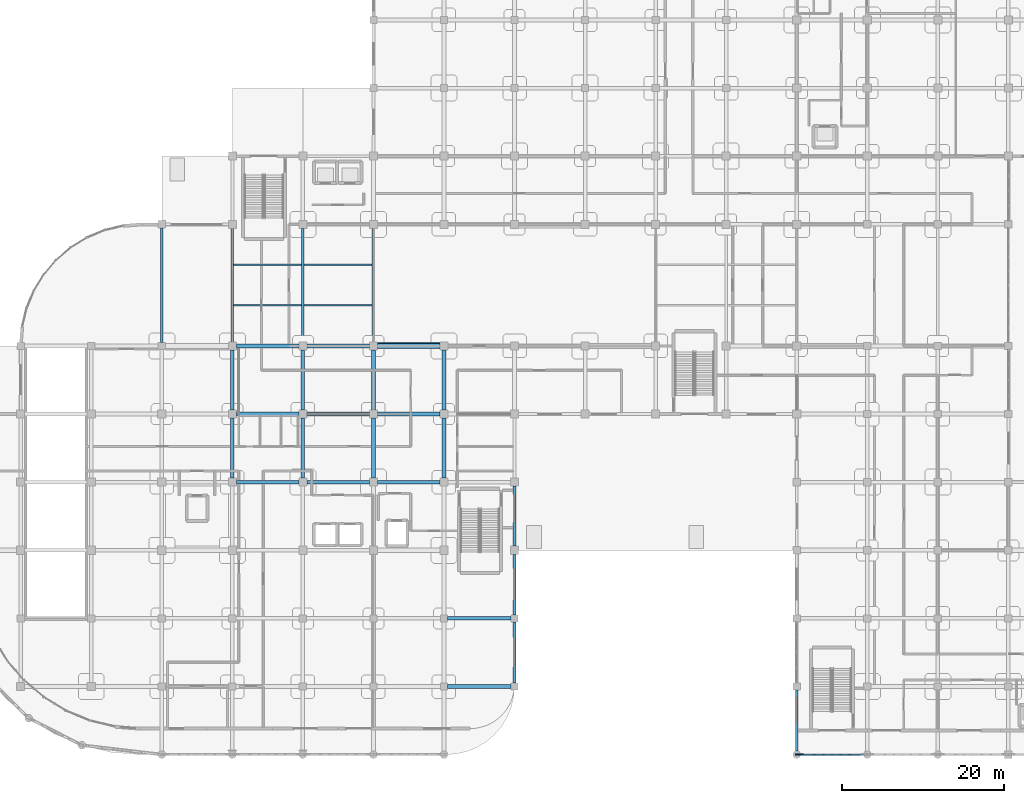
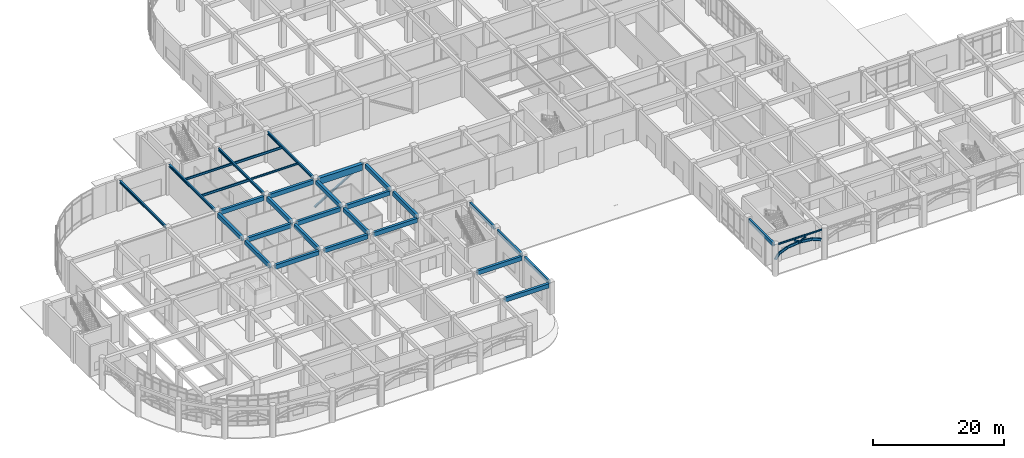
# One storey, part 13 of 82: 37 beams, 3 members.
"""IFC4 building model written with IfcOpenShell, lengths in metres."""

import ifcopenshell
import ifcopenshell.guid

model = None  # the IFC model being written
_history = None  # IfcOwnerHistory: only IFC2X3 demands one
_inside = {}  # id of a spatial element -> (the spatial element, [elements in it])
_under = {}  # id of a project, library or spatial element -> (it, [spatial elements below it])
_declared = {}  # id of a project -> (the project, [libraries it declares])
_typed = {}  # id of a type object -> (the type object, [elements of that type])
_made_of = {}  # id of a material, layer set ... -> (it, [elements and type objects made of it])


def new_model(schema):
    """Start an empty IFC model of exactly this schema.

    Asked for "IFC4X3", IfcOpenShell would pick the latest addendum, in which some entities
    have other attributes; the version numbers below select the first issue.
    IFC2X3 requires an IfcOwnerHistory on every rooted entity: one is made here for all.
    """
    global model, _history
    if schema == "IFC4X3":
        model = ifcopenshell.file(schema_version=(4, 3, 0, 0))
    else:
        model = ifcopenshell.file(schema=schema)
    _inside.clear()
    _under.clear()
    _declared.clear()
    _typed.clear()
    _made_of.clear()
    _history = None
    if model.schema == "IFC2X3":
        org = make("IfcOrganization", Name="unknown")
        user = make(
            "IfcPersonAndOrganization",
            ThePerson=make("IfcPerson", FamilyName="unknown"),
            TheOrganization=org,
        )
        app = make(
            "IfcApplication",
            ApplicationDeveloper=org,
            Version="unknown",
            ApplicationFullName="unknown",
            ApplicationIdentifier="unknown",
        )
        _history = make(
            "IfcOwnerHistory",
            OwningUser=user,
            OwningApplication=app,
            ChangeAction="ADDED",
            CreationDate=0,
        )
    return model


def make(cls, **values):
    """One entity of the class cls with the attributes given. An attribute that is None is left unset."""
    return model.create_entity(
        cls, **{name: value for name, value in values.items() if value is not None}
    )


def rooted(cls, **values):
    """An entity with a GlobalId (a new one), such as an element, a storey or a relation."""
    return make(cls, GlobalId=ifcopenshell.guid.new(), OwnerHistory=_history, **values)


def si_unit(unit_type, name, prefix=None):
    """IfcSIUnit, for example si_unit("LENGTHUNIT", "METRE", prefix="MILLI")."""
    return make("IfcSIUnit", UnitType=unit_type, Prefix=prefix, Name=name)


def derived_unit(unit_type, elements):
    """IfcDerivedUnit: a product of units, each with its exponent."""
    return make(
        "IfcDerivedUnit",
        Elements=[
            make("IfcDerivedUnitElement", Unit=unit, Exponent=power)
            for unit, power in elements
        ],
        UnitType=unit_type,
    )


def assignment(units):
    """IfcUnitAssignment: the units of a project."""
    return None if units is None else make("IfcUnitAssignment", Units=units)


def point(xyz):
    """IfcCartesianPoint."""
    return None if xyz is None else make("IfcCartesianPoint", Coordinates=xyz)


def direction(xyz):
    """IfcDirection."""
    return None if xyz is None else make("IfcDirection", DirectionRatios=xyz)


def frame(location, z_axis=None, x_axis=None):
    """IfcAxis2Placement3D, a coordinate frame: its origin and axes. An axis left out is left unset."""
    return make(
        "IfcAxis2Placement3D",
        Location=point(location),
        Axis=direction(z_axis),
        RefDirection=direction(x_axis),
    )


def frame_2d(location, x_axis=None):
    """IfcAxis2Placement2D, a coordinate frame in the plane: its origin and x axis."""
    return make(
        "IfcAxis2Placement2D", Location=point(location), RefDirection=direction(x_axis)
    )


def origin():
    """The frame at (0, 0, 0) with its axes left unset."""
    return frame((0.0, 0.0, 0.0))


def origin_2d():
    """The frame at (0, 0) in the plane with its x axis left unset."""
    return frame_2d((0.0, 0.0))


def place(relative_to, where):
    """IfcLocalPlacement: puts the frame where relative to a parent placement (None: the world)."""
    return make(
        "IfcLocalPlacement", PlacementRelTo=relative_to, RelativePlacement=where
    )


def context(
    kind, dimensions, precision=None, world=None, true_north=None, identifier=None
):
    """IfcGeometricRepresentationContext, for example the 3D "Model" context."""
    return make(
        "IfcGeometricRepresentationContext",
        ContextIdentifier=identifier,
        ContextType=kind,
        CoordinateSpaceDimension=dimensions,
        Precision=precision,
        WorldCoordinateSystem=world,
        TrueNorth=true_north,
    )


def subcontext(parent, identifier, kind, view, scale=None):
    """IfcGeometricRepresentationSubContext, for example "Body" below "Model"."""
    return make(
        "IfcGeometricRepresentationSubContext",
        ContextIdentifier=identifier,
        ContextType=kind,
        ParentContext=parent,
        TargetScale=scale,
        TargetView=view,
    )


def project(units=None, contexts=None):
    """IfcProject with its units and contexts."""
    return rooted(
        "IfcProject",
        Name="project",
        RepresentationContexts=contexts,
        UnitsInContext=assignment(units),
    )


def spatial(cls, under=None, at=None, **own):
    """A site, building, storey or space (cls), placed at a placement, below another one or the project."""
    s = rooted(cls, ObjectPlacement=at, **own)
    if under is not None:
        _under.setdefault(under.id(), (under, []))[1].append(s)
    return s


def profile(cls, at=None, kind="AREA", **sizes):
    """A parametric profile (cls). Its sizes go by their IFC names, for example OverallWidth=200.0."""
    return make(cls, ProfileType=kind, Position=at, **sizes)


def rectangle(**sizes):
    """IfcRectangleProfileDef."""
    return profile("IfcRectangleProfileDef", **sizes)


def i_section(**sizes):
    """IfcIShapeProfileDef."""
    return profile("IfcIShapeProfileDef", **sizes)


def extrude(swept, where, along, depth):
    """IfcExtrudedAreaSolid: the profile swept, set in the frame where, extruded along a direction by depth."""
    return make(
        "IfcExtrudedAreaSolid",
        SweptArea=swept,
        Position=where,
        ExtrudedDirection=direction(along),
        Depth=depth,
    )


def shape(context_of_items, identifier, shape_type, items):
    """IfcShapeRepresentation: the items that make up one representation, for example the "Body"."""
    return make(
        "IfcShapeRepresentation",
        ContextOfItems=context_of_items,
        RepresentationIdentifier=identifier,
        RepresentationType=shape_type,
        Items=items,
    )


def material(Name=None, Category=None):
    """IfcMaterial."""
    return make("IfcMaterial", Name=Name, Category=Category)


def material_profile(
    of_material, cross_section, Name=None, Category=None, Priority=None
):
    """IfcMaterialProfile: a cross section and its material."""
    return make(
        "IfcMaterialProfile",
        Name=Name,
        Material=of_material,
        Profile=cross_section,
        Priority=Priority,
        Category=Category,
    )


def profile_set(profiles, Name=None, composite=None):
    """IfcMaterialProfileSet."""
    return make(
        "IfcMaterialProfileSet",
        Name=Name,
        MaterialProfiles=profiles,
        CompositeProfile=composite,
    )


def made_of(thing, what):
    """Note that an element or type object is made of a material, layer set ...; save() writes the relation."""
    if what is not None:
        _made_of.setdefault(what.id(), (what, []))[1].append(thing)
    return thing


def type_object(cls, material=None, **own):
    """A type object (cls), such as IfcWallType, which elements share."""
    return made_of(rooted(cls, **own), material)


def element(
    cls,
    number,
    at=None,
    inside=None,
    cuts=None,
    type_object=None,
    material=None,
    context=None,
    identifier="Body",
    shape_type=None,
    held_by="IfcProductDefinitionShape",
    body=None,
    shapes=None,
    **own,
):
    """One element of the class cls, such as IfcWall. Its Tag is "e" and its number.

    at: its placement. inside: the storey or other place that contains it. cuts: it is an
    opening in that element (IfcRelVoidsElement). A single representation is given by context,
    identifier, shape_type and body (its items); several are given by shapes. held_by: the class
    of the entity that holds the representations. save() writes the other relations.
    """
    e = rooted(cls, Tag="e%d" % number, ObjectPlacement=at, **own)
    if body is not None:
        shapes = [shape(context, identifier, shape_type, body)]
    if shapes is not None:
        e.Representation = make(held_by, Representations=shapes)
    if inside is not None:
        _inside.setdefault(inside.id(), (inside, []))[1].append(e)
    if cuts is not None:
        rooted(
            "IfcRelVoidsElement", RelatingBuildingElement=cuts, RelatedOpeningElement=e
        )
    if type_object is not None:
        _typed.setdefault(type_object.id(), (type_object, []))[1].append(e)
    return made_of(e, material)


def aggregate(whole, parts):
    """IfcRelAggregates: a whole, such as a stair, and the parts it consists of."""
    return rooted("IfcRelAggregates", RelatingObject=whole, RelatedObjects=parts)


def save(model, path):
    """Write the relations noted so far, then the file.

    IfcRelAggregates (storeys below a building ...), IfcRelContainedInSpatialStructure (elements
    in a storey), IfcRelDefinesByType, IfcRelAssociatesMaterial and IfcRelDeclares: one each for
    every whole, place, type object, material and project.
    """
    for whole, parts in _under.values():
        aggregate(whole, parts)
    for where, things in _inside.values():
        rooted(
            "IfcRelContainedInSpatialStructure",
            RelatedElements=things,
            RelatingStructure=where,
        )
    for kind, things in _typed.values():
        rooted("IfcRelDefinesByType", RelatedObjects=things, RelatingType=kind)
    for what, things in _made_of.values():
        rooted("IfcRelAssociatesMaterial", RelatedObjects=things, RelatingMaterial=what)
    for by, libraries in _declared.values():
        rooted("IfcRelDeclares", RelatingContext=by, RelatedDefinitions=libraries)
    model.write(path)


model = new_model("IFC4")

# Units and contexts
model_context = context("Model", 3, precision=1e-05, world=origin(), true_north=direction((0.0, 1.0)))
body_context = subcontext(model_context, "Body", "Model", "MODEL_VIEW")
ifc_project = project(units=[si_unit("LENGTHUNIT", "METRE"), si_unit("AREAUNIT", "SQUARE_METRE"), si_unit("VOLUMEUNIT", "CUBIC_METRE"), si_unit("PLANEANGLEUNIT", "RADIAN"), si_unit("MASSUNIT", "GRAM", prefix="KILO"), derived_unit("THERMALTRANSMITTANCEUNIT", [(si_unit("MASSUNIT", "GRAM", prefix="KILO"), 1), (si_unit("TIMEUNIT", "SECOND"), -3), (si_unit("THERMODYNAMICTEMPERATUREUNIT", "KELVIN"), -1)])], contexts=[model_context])

# Site, building, storey
site_placement = place(None, origin())
site = spatial("IfcSite", under=ifc_project, at=site_placement, CompositionType="ELEMENT")
building_placement = place(site_placement, origin())
building = spatial("IfcBuilding", under=site, at=building_placement, Name="Qinzheling Arcade Emporium", CompositionType="ELEMENT")
storey_placement = place(building_placement, origin())
storey = spatial("IfcBuildingStorey", under=building, at=storey_placement, Name="L01", CompositionType="ELEMENT", Elevation=0.0)

# Beams
ifc_material_1 = material(Name="Weathering steel Q355NH", Category="steel")
ifc_material_profile_1 = material_profile(ifc_material_1, i_section(OverallWidth=0.199951171875, OverallDepth=0.5, WebThickness=0.010009765625, FlangeThickness=0.01611328125, FilletRadius=0.01806640625, at=origin_2d()), Name="HN 500x200x10x16", Category="steel")
ifc_profile_set_1 = profile_set([ifc_material_profile_1], Name="Weathering steel Q355NH")
beam_type_1 = type_object("IfcBeamType", Name="Arcade End Arch Rib HN500 Q355NH", PredefinedType="BEAM", material=ifc_profile_set_1)
beam_1_placement = place(storey_placement, frame((104.39990234375, 0.0, 2.824951171875), z_axis=(0.538567218058, 0.0, 0.842582548854), x_axis=(0.0, 1.0, 0.0)))
element("IfcBeam", 1, at=beam_1_placement, inside=storey, type_object=beam_type_1, Name="Street Entrance Arch ARC-L01-S06-C01", PredefinedType="BEAM", context=body_context, shape_type="SweptSolid", body=[
    extrude(i_section(OverallWidth=0.199951171875, OverallDepth=0.5, WebThickness=0.010009765625, FlangeThickness=0.01611328125, FilletRadius=0.01806640625, at=origin_2d()), origin(), (0.0, 0.0, 1.0), 1.08251953125),
])
beam_2_placement = place(storey_placement, frame((104.98291015625, 0.0, 3.737060546875), z_axis=(0.922124413365, 0.0, 0.386893481823), x_axis=(0.0, 1.0, 0.0)))
element("IfcBeam", 2, at=beam_2_placement, inside=storey, type_object=beam_type_1, Name="Street Entrance Arch ARC-L01-S06-C02", PredefinedType="BEAM", context=body_context, shape_type="SweptSolid", body=[
    extrude(i_section(OverallWidth=0.199951171875, OverallDepth=0.5, WebThickness=0.010009765625, FlangeThickness=0.01611328125, FilletRadius=0.01806640625, at=origin_2d()), origin(), (0.0, 0.0, 1.0), 1.7265625),
])
for number, where, z_axis, x_axis, name in (
    (3, (106.574951171875, 0.0, 4.405029296875), (0.993722174052, 0.0, 0.11187600635), (0.0, 1.0, 0.0), "Street Entrance Arch ARC-L01-S06-C03"),
    (4, (108.75, 0.0, 4.64990234375), (0.993722174052, 0.0, -0.11187600635), (0.0, 1.0, 0.0), "Street Entrance Arch ARC-L01-S06-C04"),
):
    element("IfcBeam", number, at=place(storey_placement, frame(where, z_axis=z_axis, x_axis=x_axis)), inside=storey, type_object=beam_type_1, Name=name, PredefinedType="BEAM", context=body_context, shape_type="SweptSolid", body=[
        extrude(i_section(OverallWidth=0.199951171875, OverallDepth=0.5, WebThickness=0.010009765625, FlangeThickness=0.01611328125, FilletRadius=0.01806640625, at=origin_2d()), origin(), (0.0, 0.0, 1.0), 2.188720703125),
    ])
beam_3_placement = place(storey_placement, frame((110.925048828125, 0.0, 4.405029296875), z_axis=(0.922124413365, 0.0, -0.386893481823), x_axis=(0.0, 1.0, 0.0)))
element("IfcBeam", 5, at=beam_3_placement, inside=storey, type_object=beam_type_1, Name="Street Entrance Arch ARC-L01-S06-C05", PredefinedType="BEAM", context=body_context, shape_type="SweptSolid", body=[
    extrude(i_section(OverallWidth=0.199951171875, OverallDepth=0.5, WebThickness=0.010009765625, FlangeThickness=0.01611328125, FilletRadius=0.01806640625, at=origin_2d()), origin(), (0.0, 0.0, 1.0), 1.7265625),
])

# Members
ifc_material_profile_2 = material_profile(ifc_material_1, i_section(OverallWidth=0.14990234375, OverallDepth=0.300048828125, WebThickness=0.006591796875, FlangeThickness=0.009033203125, FilletRadius=0.012939453125, at=origin_2d()), Name="HN 300x150x6.5x9", Category="steel")
ifc_profile_set_2 = profile_set([ifc_material_profile_2], Name="Weathering steel Q355NH")
member_type_1 = type_object("IfcMemberType", Name="Arcade Spandrel Web Chord HN300 Q355NH", PredefinedType="CHORD", material=ifc_profile_set_2)
for number, where, z_axis, x_axis, name in (
    (6, (108.75, 0.0, 4.659912109375), (-0.853845673448, 0.0, 0.520526239428), (0.0, -1.0, 0.0), "Street Spandrel Web Chord ASW-L01-S06-W1"),
    (7, (108.75, 0.0, 4.659912109375), (0.853845673448, 0.0, 0.520526239428), (0.0, 1.0, 0.0), "Street Spandrel Web Chord ASW-L01-S06-W2"),
):
    element("IfcMember", number, at=place(storey_placement, frame(where, z_axis=z_axis, x_axis=x_axis)), inside=storey, type_object=member_type_1, Name=name, PredefinedType="CHORD", context=body_context, shape_type="SweptSolid", body=[
        extrude(i_section(OverallWidth=0.14990234375, OverallDepth=0.300048828125, WebThickness=0.006591796875, FlangeThickness=0.009033203125, FilletRadius=0.012939453125, at=origin_2d()), origin(), (0.0, 0.0, 1.0), 1.229736328125),
    ])

# Beams
ifc_material_2 = material(Name="Structural steel Q355B", Category="steel")
ifc_material_profile_3 = material_profile(ifc_material_2, i_section(OverallWidth=0.300048828125, OverallDepth=0.488037109375, WebThickness=0.010986328125, FlangeThickness=0.01806640625, FilletRadius=0.02197265625, at=origin_2d()), Name="HM 488x300x11x18", Category="steel")
ifc_profile_set_3 = profile_set([ifc_material_profile_3], Name="Structural steel Q355B")
beam_type_2 = type_object("IfcBeamType", Name="Atrium Bridge Girder HM488 Q355B", PredefinedType="USERDEFINED", material=ifc_profile_set_3)
beam_4_placement = place(storey_placement, frame((26.10009765625, 50.85009765625, 5.47607421875), z_axis=(0.0, 1.0, 0.0), x_axis=(-1.0, 0.0, 0.0)))
element("IfcBeam", 8, at=beam_4_placement, inside=storey, type_object=beam_type_2, Name="Beam BM-L01-Y-4-G", ObjectType="TRANSFER_GIRDER", PredefinedType="USERDEFINED", context=body_context, shape_type="SweptSolid", body=[
    extrude(i_section(OverallWidth=0.300048828125, OverallDepth=0.488037109375, WebThickness=0.010986328125, FlangeThickness=0.01806640625, FilletRadius=0.02197265625, at=origin_2d()), origin(), (0.0, 0.0, 1.0), 14.099853515625),
])
for number, where, z_axis, x_axis, name in (
    (9, (34.800048828125, 50.89990234375, 5.47607421875), (0.0, 1.0, 0.0), (-1.0, 0.0, 0.0), "Beam BM-L01-Y-5-G"),
    (10, (43.5, 50.89990234375, 5.47607421875), (0.0, 1.0, 0.0), (-1.0, 0.0, 0.0), "Beam BM-L01-Y-6-G"),
    (11, (52.199951171875, 50.89990234375, 5.47607421875), (0.0, 1.0, 0.0), (-1.0, 0.0, 0.0), "Beam BM-L01-Y-7-G"),
):
    element("IfcBeam", number, at=place(storey_placement, frame(where, z_axis=z_axis, x_axis=x_axis)), inside=storey, type_object=beam_type_2, Name=name, ObjectType="TRANSFER_GIRDER", PredefinedType="USERDEFINED", context=body_context, shape_type="SweptSolid", body=[
        extrude(i_section(OverallWidth=0.300048828125, OverallDepth=0.488037109375, WebThickness=0.010986328125, FlangeThickness=0.01806640625, FilletRadius=0.02197265625, at=origin_2d()), origin(), (0.0, 0.0, 1.0), 14.0),
    ])
ifc_material_profile_4 = material_profile(ifc_material_2, i_section(OverallWidth=0.175048828125, OverallDepth=0.35009765625, WebThickness=0.007080078125, FlangeThickness=0.010986328125, FilletRadius=0.013916015625, at=origin_2d()), Name="HN 350x175x7x11", Category="steel")
ifc_profile_set_4 = profile_set([ifc_material_profile_4], Name="Structural steel Q355B")
beam_type_3 = type_object("IfcBeamType", Name="Canopy Secondary Joist HN350 Q355B", PredefinedType="JOIST", material=ifc_profile_set_4)
beam_5_placement = place(storey_placement, frame((43.655029296875, 55.39990234375, 5.544921875), z_axis=(1.0, 0.0, 0.0), x_axis=(0.0, 1.0, 0.0)))
element("IfcBeam", 12, at=beam_5_placement, inside=storey, type_object=beam_type_3, Name="Secondary Joist JST-L01-6-1", PredefinedType="JOIST", context=body_context, shape_type="SweptSolid", body=[
    extrude(i_section(OverallWidth=0.175048828125, OverallDepth=0.35009765625, WebThickness=0.007080078125, FlangeThickness=0.010986328125, FilletRadius=0.013916015625, at=origin_2d()), origin(), (0.0, 0.0, 1.0), 8.389892578125),
])

# Member
ifc_material_profile_5 = material_profile(ifc_material_2, i_section(OverallWidth=0.300048828125, OverallDepth=0.300048828125, WebThickness=0.010009765625, FlangeThickness=0.014892578125, FilletRadius=0.01806640625, at=origin_2d()), Name="HW 300x300x10x15", Category="steel")
ifc_profile_set_5 = profile_set([ifc_material_profile_5], Name="Structural steel Q355B")
member_type_2 = type_object("IfcMemberType", Name="Escalator Truss Stringer HW300 Q355B", PredefinedType="STRINGER", material=ifc_profile_set_5)
member_placement = place(storey_placement, frame((52.199951171875, 50.679931640625, 0.179931640625), z_axis=(0.855314515811, 0.0, 0.518109138159), x_axis=(0.0, 1.0, 0.0)))
element("IfcMember", 13, at=member_placement, inside=storey, type_object=member_type_2, Name="Escalator Stringer ESC-STR-L01-1", PredefinedType="STRINGER", context=body_context, shape_type="SweptSolid", body=[
    extrude(i_section(OverallWidth=0.300048828125, OverallDepth=0.300048828125, WebThickness=0.010009765625, FlangeThickness=0.014892578125, FilletRadius=0.01806640625, at=origin_2d()), origin(), (0.0, 0.0, 1.0), 10.171630859375),
])

# Beams
ifc_material_3 = material(Name="Concrete C40", Category="concrete")
ifc_material_profile_6 = material_profile(ifc_material_3, rectangle(XDim=0.449951171875, YDim=0.800048828125, at=origin_2d()), Name="RC 450x800", Category="concrete")
ifc_profile_set_6 = profile_set([ifc_material_profile_6], Name="Concrete C40")
beam_type_4 = type_object("IfcBeamType", Name="RC Primary Frame Beam 450x800 C40", PredefinedType="BEAM", material=ifc_profile_set_6)
for number, where, z_axis, x_axis, name in (
    (14, (61.35009765625, 8.39990234375, 5.320068359375), (1.0, 0.0, 0.0), (0.0, 1.0, 0.0), "Beam BM-L01-X-B-8"),
    (15, (61.35009765625, 16.800048828125, 5.320068359375), (1.0, 0.0, 0.0), (0.0, 1.0, 0.0), "Beam BM-L01-X-C-8"),
):
    element("IfcBeam", number, at=place(storey_placement, frame(where, z_axis=z_axis, x_axis=x_axis)), inside=storey, type_object=beam_type_4, Name=name, PredefinedType="BEAM", context=body_context, shape_type="SweptSolid", body=[
        extrude(rectangle(XDim=0.449951171875, YDim=0.800048828125, at=origin_2d()), origin(), (0.0, 0.0, 1.0), 7.7998046875),
    ])
for number, where, z_axis, x_axis, name in (
    (16, (35.300048828125, 33.60009765625, 5.320068359375), (1.0, 0.0, 0.0), (0.0, 1.0, 0.0), "Beam BM-L01-X-E-5"),
    (17, (44.0, 33.60009765625, 5.320068359375), (1.0, 0.0, 0.0), (0.0, 1.0, 0.0), "Beam BM-L01-X-E-6"),
    (18, (52.699951171875, 33.60009765625, 5.320068359375), (1.0, 0.0, 0.0), (0.0, 1.0, 0.0), "Beam BM-L01-X-E-7"),
    (19, (35.300048828125, 42.0, 5.320068359375), (1.0, 0.0, 0.0), (0.0, 1.0, 0.0), "Beam BM-L01-X-F-5"),
    (20, (44.0, 42.0, 5.320068359375), (1.0, 0.0, 0.0), (0.0, 1.0, 0.0), "Beam BM-L01-X-F-6"),
    (21, (52.699951171875, 42.0, 5.320068359375), (1.0, 0.0, 0.0), (0.0, 1.0, 0.0), "Beam BM-L01-X-F-7"),
    (22, (35.300048828125, 50.39990234375, 5.320068359375), (1.0, 0.0, 0.0), (0.0, 1.0, 0.0), "Beam BM-L01-X-G-5"),
    (23, (44.0, 50.39990234375, 5.320068359375), (1.0, 0.0, 0.0), (0.0, 1.0, 0.0), "Beam BM-L01-X-G-6"),
):
    element("IfcBeam", number, at=place(storey_placement, frame(where, z_axis=z_axis, x_axis=x_axis)), inside=storey, type_object=beam_type_4, Name=name, PredefinedType="BEAM", context=body_context, shape_type="SweptSolid", body=[
        extrude(rectangle(XDim=0.449951171875, YDim=0.800048828125, at=origin_2d()), origin(), (0.0, 0.0, 1.0), 7.699951171875),
    ])
for number, where, z_axis, x_axis, name in (
    (24, (34.800048828125, 34.10009765625, 5.320068359375), (0.0, 1.0, 0.0), (-1.0, 0.0, 0.0), "Beam BM-L01-Y-5-E"),
    (25, (34.800048828125, 42.5, 5.320068359375), (0.0, 1.0, 0.0), (-1.0, 0.0, 0.0), "Beam BM-L01-Y-5-F"),
    (26, (43.5, 34.10009765625, 5.320068359375), (0.0, 1.0, 0.0), (-1.0, 0.0, 0.0), "Beam BM-L01-Y-6-E"),
    (27, (43.5, 42.5, 5.320068359375), (0.0, 1.0, 0.0), (-1.0, 0.0, 0.0), "Beam BM-L01-Y-6-F"),
    (28, (52.199951171875, 34.10009765625, 5.320068359375), (0.0, 1.0, 0.0), (-1.0, 0.0, 0.0), "Beam BM-L01-Y-7-E"),
    (29, (52.199951171875, 42.5, 5.320068359375), (0.0, 1.0, 0.0), (-1.0, 0.0, 0.0), "Beam BM-L01-Y-7-F"),
    (30, (60.89990234375, 34.10009765625, 5.320068359375), (0.0, 1.0, 0.0), (-1.0, 0.0, 0.0), "Beam BM-L01-Y-8-E"),
    (31, (60.89990234375, 42.5, 5.320068359375), (0.0, 1.0, 0.0), (-1.0, 0.0, 0.0), "Beam BM-L01-Y-8-F"),
):
    element("IfcBeam", number, at=place(storey_placement, frame(where, z_axis=z_axis, x_axis=x_axis)), inside=storey, type_object=beam_type_4, Name=name, PredefinedType="BEAM", context=body_context, shape_type="SweptSolid", body=[
        extrude(rectangle(XDim=0.449951171875, YDim=0.800048828125, at=origin_2d()), origin(), (0.0, 0.0, 1.0), 7.39990234375),
    ])
ifc_material_profile_7 = material_profile(ifc_material_3, rectangle(XDim=0.35009765625, YDim=0.64990234375, at=origin_2d()), Name="RC 350x650", Category="concrete")
ifc_profile_set_7 = profile_set([ifc_material_profile_7], Name="Concrete C40")
beam_type_5 = type_object("IfcBeamType", Name="RC Spandrel Edge Beam 350x650 C40", PredefinedType="SPANDREL", material=ifc_profile_set_7)
beam_6_placement = place(storey_placement, frame((69.60009765625, 8.85009765625, 5.39501953125), z_axis=(0.0, 1.0, 0.0), x_axis=(-1.0, 0.0, 0.0)))
element("IfcBeam", 32, at=beam_6_placement, inside=storey, type_object=beam_type_5, Name="Beam BM-L01-Y-9-B", PredefinedType="SPANDREL", context=body_context, shape_type="SweptSolid", body=[
    extrude(rectangle(XDim=0.35009765625, YDim=0.64990234375, at=origin_2d()), origin(), (0.0, 0.0, 1.0), 7.5),
])
beam_7_placement = place(storey_placement, frame((69.60009765625, 17.25, 5.39501953125), z_axis=(0.0, 1.0, 0.0), x_axis=(-1.0, 0.0, 0.0)))
element("IfcBeam", 33, at=beam_7_placement, inside=storey, type_object=beam_type_5, Name="Beam BM-L01-Y-9-C", PredefinedType="SPANDREL", context=body_context, shape_type="SweptSolid", body=[
    extrude(rectangle(XDim=0.35009765625, YDim=0.64990234375, at=origin_2d()), origin(), (0.0, 0.0, 1.0), 7.449951171875),
])
beam_8_placement = place(storey_placement, frame((69.60009765625, 25.699951171875, 5.39501953125), z_axis=(0.0, 1.0, 0.0), x_axis=(-1.0, 0.0, 0.0)))
element("IfcBeam", 34, at=beam_8_placement, inside=storey, type_object=beam_type_5, Name="Beam BM-L01-Y-9-D", PredefinedType="SPANDREL", context=body_context, shape_type="SweptSolid", body=[
    extrude(rectangle(XDim=0.35009765625, YDim=0.64990234375, at=origin_2d()), origin(), (0.0, 0.0, 1.0), 7.400146484375),
])
beam_9_placement = place(storey_placement, frame((104.39990234375, 0.47509765625, 5.39501953125), z_axis=(0.0, 1.0, 0.0), x_axis=(-1.0, 0.0, 0.0)))
element("IfcBeam", 35, at=beam_9_placement, inside=storey, type_object=beam_type_5, Name="Beam BM-L01-Y-13-A", PredefinedType="SPANDREL", context=body_context, shape_type="SweptSolid", body=[
    extrude(rectangle(XDim=0.35009765625, YDim=0.64990234375, at=origin_2d()), origin(), (0.0, 0.0, 1.0), 7.474853515625),
])
ifc_material_profile_8 = material_profile(ifc_material_3, rectangle(XDim=0.60009765625, YDim=1.199951171875, at=origin_2d()), Name="RC 600x1200", Category="concrete")
ifc_profile_set_8 = profile_set([ifc_material_profile_8], Name="Concrete C40")
beam_type_6 = type_object("IfcBeamType", Name="RC Transfer Girder 600x1200 C40", PredefinedType="USERDEFINED", material=ifc_profile_set_8)
beam_10_placement = place(storey_placement, frame((52.699951171875, 50.39990234375, 5.1201171875), z_axis=(1.0, 0.0, 0.0), x_axis=(0.0, 1.0, 0.0)))
element("IfcBeam", 36, at=beam_10_placement, inside=storey, type_object=beam_type_6, Name="Beam BM-L01-X-G-7", ObjectType="TRANSFER_GIRDER", PredefinedType="USERDEFINED", context=body_context, shape_type="SweptSolid", body=[
    extrude(rectangle(XDim=0.60009765625, YDim=1.199951171875, at=origin_2d()), origin(), (0.0, 0.0, 1.0), 7.699951171875),
])
ifc_material_profile_9 = material_profile(ifc_material_2, i_section(OverallWidth=0.199951171875, OverallDepth=0.449951171875, WebThickness=0.009033203125, FlangeThickness=0.013916015625, FilletRadius=0.01611328125, at=origin_2d()), Name="HN 450x200x9x14", Category="steel")
ifc_profile_set_9 = profile_set([ifc_material_profile_9], Name="Structural steel Q355B")
beam_type_7 = type_object("IfcBeamType", Name="Secondary Floor Joist HN450 Q355B", PredefinedType="JOIST", material=ifc_profile_set_9)
for number, where, z_axis, x_axis, name in (
    (37, (34.955078125, 55.39990234375, 5.4951171875), (1.0, 0.0, 0.0), (0.0, 1.0, 0.0), "Secondary Joist JST-L01-5-1"),
    (38, (43.655029296875, 60.39990234375, 5.4951171875), (1.0, 0.0, 0.0), (0.0, 1.0, 0.0), "Secondary Joist JST-L01-6-2"),
):
    element("IfcBeam", number, at=place(storey_placement, frame(where, z_axis=z_axis, x_axis=x_axis)), inside=storey, type_object=beam_type_7, Name=name, PredefinedType="JOIST", context=body_context, shape_type="SweptSolid", body=[
        extrude(i_section(OverallWidth=0.199951171875, OverallDepth=0.449951171875, WebThickness=0.009033203125, FlangeThickness=0.013916015625, FilletRadius=0.01611328125, at=origin_2d()), origin(), (0.0, 0.0, 1.0), 8.389892578125),
    ])
ifc_material_profile_10 = material_profile(ifc_material_2, i_section(OverallWidth=0.14990234375, OverallDepth=0.300048828125, WebThickness=0.006591796875, FlangeThickness=0.009033203125, FilletRadius=0.012939453125, at=origin_2d()), Name="HN 300x150x6.5x9", Category="steel")
ifc_profile_set_10 = profile_set([ifc_material_profile_10], Name="Structural steel Q355B")
beam_type_8 = type_object("IfcBeamType", Name="Shopfront Portal Lintel HN300 Q355B", PredefinedType="LINTEL", material=ifc_profile_set_10)
beam_11_placement = place(storey_placement, frame((104.875, 0.0, 5.570068359375), z_axis=(1.0, 0.0, 0.0), x_axis=(0.0, 1.0, 0.0)))
element("IfcBeam", 39, at=beam_11_placement, inside=storey, type_object=beam_type_8, Name="Beam BM-L01-X-A-13", PredefinedType="LINTEL", context=body_context, shape_type="SweptSolid", body=[
    extrude(i_section(OverallWidth=0.14990234375, OverallDepth=0.300048828125, WebThickness=0.006591796875, FlangeThickness=0.009033203125, FilletRadius=0.012939453125, at=origin_2d()), origin(), (0.0, 0.0, 1.0), 7.75),
])
ifc_material_profile_11 = material_profile(ifc_material_2, i_section(OverallWidth=0.199951171875, OverallDepth=0.39990234375, WebThickness=0.008056640625, FlangeThickness=0.012939453125, FilletRadius=0.01611328125, at=origin_2d()), Name="HN 400x200x8x13", Category="steel")
ifc_profile_set_11 = profile_set([ifc_material_profile_11], Name="Structural steel Q355B")
beam_type_9 = type_object("IfcBeamType", Name="Storm Eave Outlooker Joist HN400 Q355B", PredefinedType="JOIST", material=ifc_profile_set_11)
beam_12_placement = place(storey_placement, frame((34.955078125, 60.39990234375, 5.52001953125), z_axis=(1.0, 0.0, 0.0), x_axis=(0.0, 1.0, 0.0)))
element("IfcBeam", 40, at=beam_12_placement, inside=storey, type_object=beam_type_9, Name="Secondary Joist JST-L01-5-2", PredefinedType="JOIST", context=body_context, shape_type="SweptSolid", body=[
    extrude(i_section(OverallWidth=0.199951171875, OverallDepth=0.39990234375, WebThickness=0.008056640625, FlangeThickness=0.012939453125, FilletRadius=0.01611328125, at=origin_2d()), origin(), (0.0, 0.0, 1.0), 8.389892578125),
])

save(model, "model.ifc")
